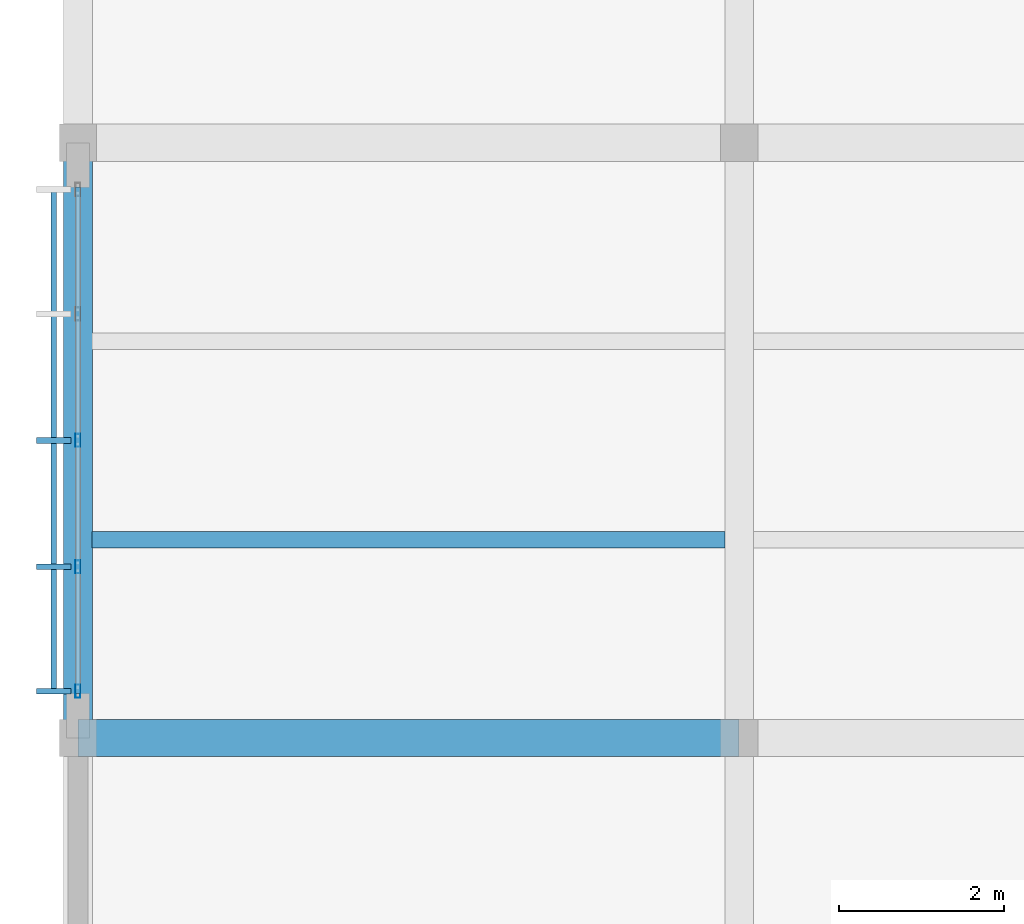
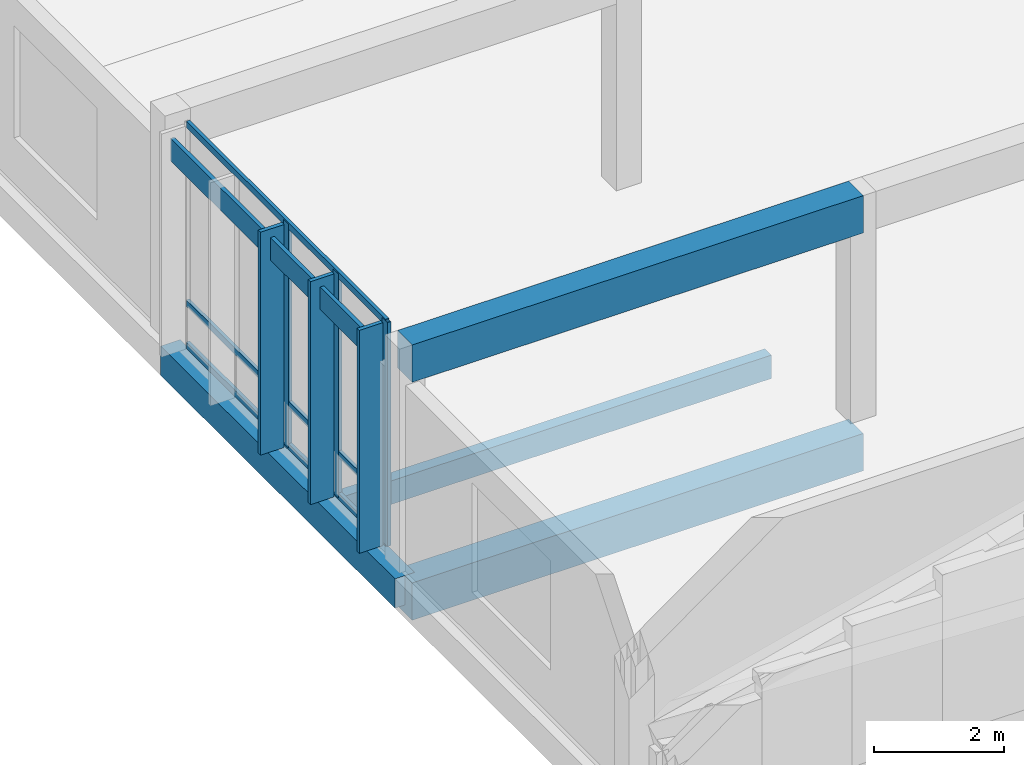
# One storey, part 7 of 107: 10 members, 4 beams, 1 element without a shape of its own.
"""IFC4 building model written with IfcOpenShell, lengths in metres."""

from ifc_helpers import new_model, si_unit, direction, frame, origin, origin_2d, place, context, subcontext, project, spatial, rectangle, hollow_rectangle, extrude, material, material_profile, profile_set, type_object, element, aggregate, save


model = new_model("IFC4")

# Units and contexts
model_context = context("Model", 3, precision=1e-05, world=origin(), true_north=direction((0.0, 1.0)))
body_context = subcontext(model_context, "Body", "Model", "MODEL_VIEW")
ifc_project = project(units=[si_unit("LENGTHUNIT", "METRE"), si_unit("AREAUNIT", "SQUARE_METRE"), si_unit("VOLUMEUNIT", "CUBIC_METRE"), si_unit("PLANEANGLEUNIT", "RADIAN"), si_unit("MASSUNIT", "GRAM", prefix="KILO")], contexts=[model_context])

# Site, building, storey
site_placement = place(None, origin())
site = spatial("IfcSite", under=ifc_project, at=site_placement, CompositionType="ELEMENT")
building_placement = place(site_placement, origin())
building = spatial("IfcBuilding", under=site, at=building_placement, Name="Chiffa Square Polytechnic", CompositionType="ELEMENT")
storey_placement = place(building_placement, frame((0.0, 0.0, 13.800048828125)))
storey = spatial("IfcBuildingStorey", under=building, at=storey_placement, Name="L03", CompositionType="ELEMENT", Elevation=13.800048828125)

# Beams
ifc_material_1 = material(Name="Concrete C35/45", Category="concrete")
ifc_material_profile_1 = material_profile(ifc_material_1, rectangle(XDim=0.35009765625, YDim=0.550048828125, at=origin_2d()), Name="RC 350x550")
ifc_profile_set_1 = profile_set([ifc_material_profile_1], Name="Concrete C35/45")
beam_type_1 = type_object("IfcBeamType", Name="BM-RC-350X550", PredefinedType="BEAM", material=ifc_profile_set_1)
beam_1_placement = place(storey_placement, frame((0.0, 43.800048828125, -0.53515625), z_axis=(0.0, 1.0, 0.0), x_axis=(-1.0, 0.0, 0.0)))
element("IfcBeam", 1, at=beam_1_placement, inside=storey, type_object=beam_type_1, Name="Primary floor girder BM-V6-L03-Y-0000-0438", PredefinedType="BEAM", context=body_context, shape_type="SweptSolid", body=[
    extrude(rectangle(XDim=0.35009765625, YDim=0.550048828125, at=origin_2d()), origin(), (0.0, 0.0, 1.0), 7.199951171875),
])
ifc_material_profile_2 = material_profile(ifc_material_1, rectangle(XDim=0.449951171875, YDim=0.699951171875, at=origin_2d()), Name="RC 450x700")
ifc_profile_set_2 = profile_set([ifc_material_profile_2], Name="Concrete C35/45")
beam_type_2 = type_object("IfcBeamType", Name="BM-RC-450X700", PredefinedType="BEAM", material=ifc_profile_set_2)
for number, where, z_axis, x_axis, name in (
    (2, (0.0, 43.800048828125, -0.610107421875), (1.0, 0.0, 0.0), (0.0, 1.0, 0.0), "Primary floor girder BM-V6-L03-X-0000-0438"),
    (3, (0.0, 43.800048828125, 3.849853515625), (1.0, 0.0, 0.0), (0.0, 1.0, 0.0), "Sawtooth monitor sill beam BM-V6-SAWTIE-Y1-1"),
):
    element("IfcBeam", number, at=place(storey_placement, frame(where, z_axis=z_axis, x_axis=x_axis)), inside=storey, type_object=beam_type_2, Name=name, PredefinedType="BEAM", context=body_context, shape_type="SweptSolid", body=[
        extrude(rectangle(XDim=0.449951171875, YDim=0.699951171875, at=origin_2d()), origin(), (0.0, 0.0, 1.0), 8.0),
    ])

# Curtain wall, members
ifc_material_2 = material(Name="Aluminium EN AW-6060 T66 and glulam shading", Category="wood")
curtain_wall_type = type_object("IfcCurtainWallType", Name="CW-VERT-600X380", PredefinedType="USERDEFINED", material=ifc_material_2)
curtain_wall_placement = place(storey_placement, origin())
curtain_wall = element("IfcCurtainWall", 4, at=curtain_wall_placement, inside=storey, type_object=curtain_wall_type, Name="Curtain wall CW-V6-L03-276", ObjectType="CURTAIN WALL", PredefinedType="USERDEFINED")
ifc_material_3 = material(Name="Aluminium EN AW-6060 T66", Category="aluminium")
ifc_material_profile_3 = material_profile(ifc_material_3, hollow_rectangle(XDim=0.06005859375, YDim=0.159912109375, WallThickness=0.00390625, at=origin_2d()), Name="ALU 60x160x4")
ifc_profile_set_3 = profile_set([ifc_material_profile_3], Name="Aluminium EN AW-6060 T66")
member_type_1 = type_object("IfcMemberType", Name="CWM-ALU-65X150", PredefinedType="MULLION", material=ifc_profile_set_3)
member_1_placement = place(storey_placement, frame((0.0, 47.39990234375, 0.0), z_axis=(0.0, 0.0, 1.0), x_axis=(1.0, 0.0, 0.0)))
member_1 = element("IfcMember", 5, at=member_1_placement, type_object=member_type_1, Name="Curtain wall mullion CW-V6-L03-276-M02", PredefinedType="MULLION", context=body_context, shape_type="SweptSolid", body=[
    extrude(hollow_rectangle(XDim=0.06005859375, YDim=0.159912109375, WallThickness=0.00390625, at=origin_2d()), origin(), (0.0, 0.0, 1.0), 4.199951171875),
])
member_2_placement = place(storey_placement, frame((0.0, 45.8701171875, 0.0), z_axis=(0.0, 0.0, 1.0), x_axis=(1.0, 0.0, 0.0)))
member_2 = element("IfcMember", 6, at=member_2_placement, type_object=member_type_1, Name="Curtain wall mullion CW-V6-L03-276-M03", PredefinedType="MULLION", context=body_context, shape_type="SweptSolid", body=[
    extrude(hollow_rectangle(XDim=0.06005859375, YDim=0.159912109375, WallThickness=0.00390625, at=origin_2d()), origin(), (0.0, 0.0, 1.0), 4.199951171875),
])
member_3_placement = place(storey_placement, frame((0.0, 44.364990234375, 0.0), z_axis=(0.0, 0.0, 1.0), x_axis=(1.0, 0.0, 0.0)))
member_3 = element("IfcMember", 7, at=member_3_placement, type_object=member_type_1, Name="Curtain wall mullion CW-V6-L03-276-M04", PredefinedType="MULLION", context=body_context, shape_type="SweptSolid", body=[
    extrude(hollow_rectangle(XDim=0.06005859375, YDim=0.159912109375, WallThickness=0.00390625, at=origin_2d()), origin(), (0.0, 0.0, 1.0), 4.199951171875),
])
ifc_material_4 = material(Name="Glulam GL28h", Category="wood")
ifc_material_profile_4 = material_profile(ifc_material_4, rectangle(XDim=0.070068359375, YDim=0.419921875, at=origin_2d()), Name="GL28h 70x420")
ifc_profile_set_4 = profile_set([ifc_material_profile_4], Name="Glulam GL28h")
member_type_2 = type_object("IfcMemberType", Name="CWM-GL-70X420", PredefinedType="MULLION", material=ifc_profile_set_4)
member_4_placement = place(storey_placement, frame((-0.2919921875, 47.39990234375, 0.010009765625), z_axis=(0.0, 0.0, 1.0), x_axis=(0.0, -1.0, 0.0)))
member_4 = element("IfcMember", 8, at=member_4_placement, type_object=member_type_2, Name="Exterior glulam solar fin CW-V6-L03-276-FN02", PredefinedType="MULLION", context=body_context, shape_type="SweptSolid", body=[
    extrude(rectangle(XDim=0.070068359375, YDim=0.419921875, at=origin_2d()), origin(), (0.0, 0.0, 1.0), 4.179931640625),
])
member_5_placement = place(storey_placement, frame((-0.2919921875, 45.8701171875, 0.010009765625), z_axis=(0.0, 0.0, 1.0), x_axis=(0.0, -1.0, 0.0)))
member_5 = element("IfcMember", 9, at=member_5_placement, type_object=member_type_2, Name="Exterior glulam solar fin CW-V6-L03-276-FN03", PredefinedType="MULLION", context=body_context, shape_type="SweptSolid", body=[
    extrude(rectangle(XDim=0.070068359375, YDim=0.419921875, at=origin_2d()), origin(), (0.0, 0.0, 1.0), 4.179931640625),
])
member_6_placement = place(storey_placement, frame((-0.2919921875, 44.364990234375, 0.010009765625), z_axis=(0.0, 0.0, 1.0), x_axis=(0.0, -1.0, 0.0)))
member_6 = element("IfcMember", 10, at=member_6_placement, type_object=member_type_2, Name="Exterior glulam solar fin CW-V6-L03-276-FN04", PredefinedType="MULLION", context=body_context, shape_type="SweptSolid", body=[
    extrude(rectangle(XDim=0.070068359375, YDim=0.419921875, at=origin_2d()), origin(), (0.0, 0.0, 1.0), 4.179931640625),
])
ifc_material_profile_5 = material_profile(ifc_material_3, hollow_rectangle(XDim=0.06005859375, YDim=0.1201171875, WallThickness=0.00390625, at=origin_2d()), Name="ALU 60x120x4")
ifc_profile_set_5 = profile_set([ifc_material_profile_5], Name="Aluminium EN AW-6060 T66")
member_type_3 = type_object("IfcMemberType", Name="CWT-ALU-65X120", PredefinedType="USERDEFINED", material=ifc_profile_set_5)
member_7_placement = place(storey_placement, frame((0.0, 50.4619140625, 0.030029296875), z_axis=(0.0, -1.0, 0.0), x_axis=(1.0, 0.0, 0.0)))
member_7 = element("IfcMember", 11, at=member_7_placement, type_object=member_type_3, Name="Curtain wall transom CW-V6-L03-276-T01", ObjectType="TRANSOM", PredefinedType="USERDEFINED", context=body_context, shape_type="SweptSolid", body=[
    extrude(hollow_rectangle(XDim=0.06005859375, YDim=0.1201171875, WallThickness=0.00390625, at=origin_2d()), origin(), (0.0, 0.0, 1.0), 6.1240234375),
])
member_8_placement = place(storey_placement, frame((0.0, 50.4619140625, 0.820068359375), z_axis=(0.0, -1.0, 0.0), x_axis=(1.0, 0.0, 0.0)))
member_8 = element("IfcMember", 12, at=member_8_placement, type_object=member_type_3, Name="Curtain wall transom CW-V6-L03-276-T02", ObjectType="TRANSOM", PredefinedType="USERDEFINED", context=body_context, shape_type="SweptSolid", body=[
    extrude(hollow_rectangle(XDim=0.06005859375, YDim=0.1201171875, WallThickness=0.00390625, at=origin_2d()), origin(), (0.0, 0.0, 1.0), 6.1240234375),
])
member_9_placement = place(storey_placement, frame((0.0, 50.4619140625, 4.169921875), z_axis=(0.0, -1.0, 0.0), x_axis=(1.0, 0.0, 0.0)))
member_9 = element("IfcMember", 13, at=member_9_placement, type_object=member_type_3, Name="Curtain wall transom CW-V6-L03-276-T03", ObjectType="TRANSOM", PredefinedType="USERDEFINED", context=body_context, shape_type="SweptSolid", body=[
    extrude(hollow_rectangle(XDim=0.06005859375, YDim=0.1201171875, WallThickness=0.00390625, at=origin_2d()), origin(), (0.0, 0.0, 1.0), 6.1240234375),
])
ifc_material_profile_6 = material_profile(ifc_material_4, rectangle(XDim=0.070068359375, YDim=0.419921875, at=origin_2d()), Name="GL28h 70x420")
ifc_profile_set_6 = profile_set([ifc_material_profile_6], Name="Glulam GL28h")
member_type_4 = type_object("IfcMemberType", Name="CWT-GL-70X420", PredefinedType="USERDEFINED", material=ifc_profile_set_6)
member_10_placement = place(storey_placement, frame((-0.2919921875, 50.43505859375, 3.820068359375), z_axis=(0.0, -1.0, 0.0), x_axis=(1.0, 0.0, 0.0)))
member_10 = element("IfcMember", 14, at=member_10_placement, type_object=member_type_4, Name="Exterior glulam brise-soleil CW-V6-L03-276-BS01", ObjectType="TRANSOM", PredefinedType="USERDEFINED", context=body_context, shape_type="SweptSolid", body=[
    extrude(rectangle(XDim=0.070068359375, YDim=0.419921875, at=origin_2d()), origin(), (0.0, 0.0, 1.0), 6.070068359375),
])
aggregate(curtain_wall, [member_1, member_4, member_2, member_5, member_3, member_6, member_7, member_8, member_9, member_10])

# Beam
ifc_material_profile_7 = material_profile(ifc_material_4, rectangle(XDim=0.199951171875, YDim=0.43994140625, at=origin_2d()), Name="GL28h 200x440")
ifc_profile_set_7 = profile_set([ifc_material_profile_7], Name="Glulam GL28h")
beam_type_3 = type_object("IfcBeamType", Name="JST-GL-200X440", PredefinedType="JOIST", material=ifc_profile_set_7)
beam_2_placement = place(storey_placement, frame((0.173095703125, 46.199951171875, -0.47998046875), z_axis=(1.0, 0.0, 0.0), x_axis=(0.0, 1.0, 0.0)))
element("IfcBeam", 15, at=beam_2_placement, inside=storey, type_object=beam_type_3, Name="Secondary floor joist JST-V6-L03-0000-0462", PredefinedType="JOIST", context=body_context, shape_type="SweptSolid", body=[
    extrude(rectangle(XDim=0.199951171875, YDim=0.43994140625, at=origin_2d()), origin(), (0.0, 0.0, 1.0), 7.65380859375),
])

save(model, "model.ifc")
